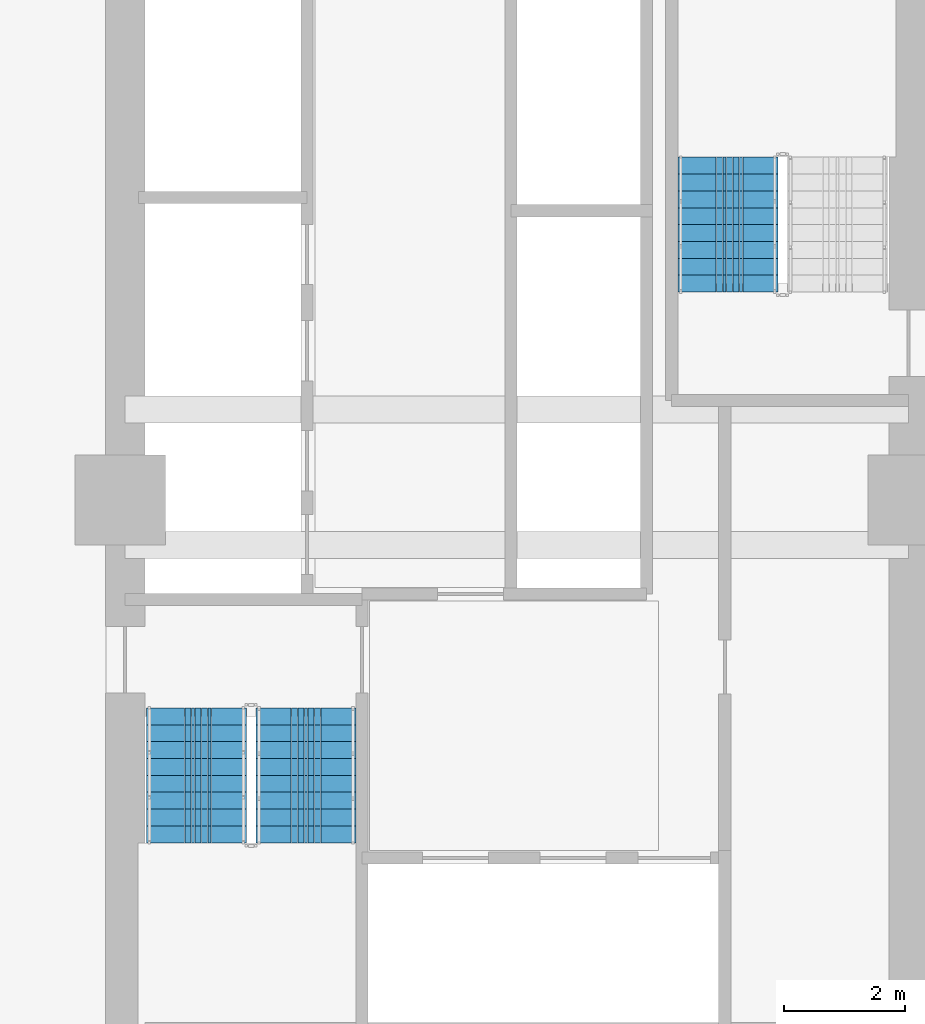
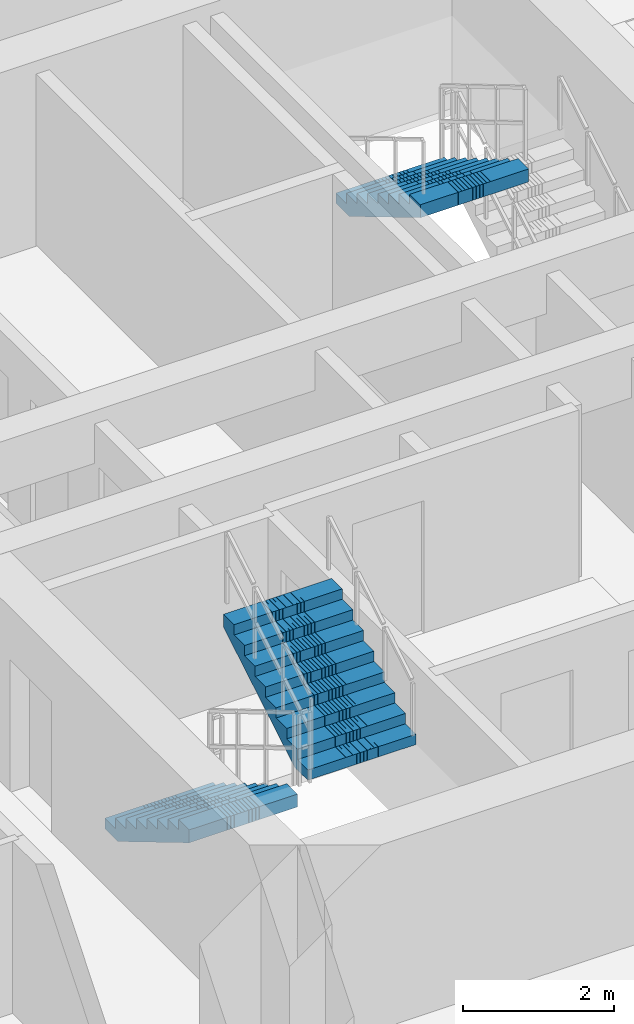
# One storey, part 10 of 17: 3 stair flights, 2 elements without a shape of their own.
"""IFC4 building model written with IfcOpenShell, lengths in metres."""

import ifcopenshell
import ifcopenshell.guid

model = None  # the IFC model being written
_history = None  # IfcOwnerHistory: only IFC2X3 demands one
_inside = {}  # id of a spatial element -> (the spatial element, [elements in it])
_under = {}  # id of a project, library or spatial element -> (it, [spatial elements below it])
_declared = {}  # id of a project -> (the project, [libraries it declares])
_typed = {}  # id of a type object -> (the type object, [elements of that type])
_made_of = {}  # id of a material, layer set ... -> (it, [elements and type objects made of it])


def new_model(schema):
    """Start an empty IFC model of exactly this schema.

    Asked for "IFC4X3", IfcOpenShell would pick the latest addendum, in which some entities
    have other attributes; the version numbers below select the first issue.
    IFC2X3 requires an IfcOwnerHistory on every rooted entity: one is made here for all.
    """
    global model, _history
    if schema == "IFC4X3":
        model = ifcopenshell.file(schema_version=(4, 3, 0, 0))
    else:
        model = ifcopenshell.file(schema=schema)
    _inside.clear()
    _under.clear()
    _declared.clear()
    _typed.clear()
    _made_of.clear()
    _history = None
    if model.schema == "IFC2X3":
        org = make("IfcOrganization", Name="unknown")
        user = make(
            "IfcPersonAndOrganization",
            ThePerson=make("IfcPerson", FamilyName="unknown"),
            TheOrganization=org,
        )
        app = make(
            "IfcApplication",
            ApplicationDeveloper=org,
            Version="unknown",
            ApplicationFullName="unknown",
            ApplicationIdentifier="unknown",
        )
        _history = make(
            "IfcOwnerHistory",
            OwningUser=user,
            OwningApplication=app,
            ChangeAction="ADDED",
            CreationDate=0,
        )
    return model


def make(cls, **values):
    """One entity of the class cls with the attributes given. An attribute that is None is left unset."""
    return model.create_entity(
        cls, **{name: value for name, value in values.items() if value is not None}
    )


def rooted(cls, **values):
    """An entity with a GlobalId (a new one), such as an element, a storey or a relation."""
    return make(cls, GlobalId=ifcopenshell.guid.new(), OwnerHistory=_history, **values)


def si_unit(unit_type, name, prefix=None):
    """IfcSIUnit, for example si_unit("LENGTHUNIT", "METRE", prefix="MILLI")."""
    return make("IfcSIUnit", UnitType=unit_type, Prefix=prefix, Name=name)


def assignment(units):
    """IfcUnitAssignment: the units of a project."""
    return None if units is None else make("IfcUnitAssignment", Units=units)


def point(xyz):
    """IfcCartesianPoint."""
    return None if xyz is None else make("IfcCartesianPoint", Coordinates=xyz)


def direction(xyz):
    """IfcDirection."""
    return None if xyz is None else make("IfcDirection", DirectionRatios=xyz)


def frame(location, z_axis=None, x_axis=None):
    """IfcAxis2Placement3D, a coordinate frame: its origin and axes. An axis left out is left unset."""
    return make(
        "IfcAxis2Placement3D",
        Location=point(location),
        Axis=direction(z_axis),
        RefDirection=direction(x_axis),
    )


def origin():
    """The frame at (0, 0, 0) with its axes left unset."""
    return frame((0.0, 0.0, 0.0))


def place(relative_to, where):
    """IfcLocalPlacement: puts the frame where relative to a parent placement (None: the world)."""
    return make(
        "IfcLocalPlacement", PlacementRelTo=relative_to, RelativePlacement=where
    )


def context(
    kind, dimensions, precision=None, world=None, true_north=None, identifier=None
):
    """IfcGeometricRepresentationContext, for example the 3D "Model" context."""
    return make(
        "IfcGeometricRepresentationContext",
        ContextIdentifier=identifier,
        ContextType=kind,
        CoordinateSpaceDimension=dimensions,
        Precision=precision,
        WorldCoordinateSystem=world,
        TrueNorth=true_north,
    )


def subcontext(parent, identifier, kind, view, scale=None):
    """IfcGeometricRepresentationSubContext, for example "Body" below "Model"."""
    return make(
        "IfcGeometricRepresentationSubContext",
        ContextIdentifier=identifier,
        ContextType=kind,
        ParentContext=parent,
        TargetScale=scale,
        TargetView=view,
    )


def project(units=None, contexts=None):
    """IfcProject with its units and contexts."""
    return rooted(
        "IfcProject",
        Name="project",
        RepresentationContexts=contexts,
        UnitsInContext=assignment(units),
    )


def spatial(cls, under=None, at=None, **own):
    """A site, building, storey or space (cls), placed at a placement, below another one or the project."""
    s = rooted(cls, ObjectPlacement=at, **own)
    if under is not None:
        _under.setdefault(under.id(), (under, []))[1].append(s)
    return s


def polyline(points):
    """IfcPolyline through the points."""
    return make("IfcPolyline", Points=[point(p) for p in points])


def outline(outer, holes=None, kind="AREA"):
    """IfcArbitraryClosedProfileDef: a profile drawn as a closed curve; with holes, ...WithVoids."""
    if holes is None:
        return make("IfcArbitraryClosedProfileDef", ProfileType=kind, OuterCurve=outer)
    return make(
        "IfcArbitraryProfileDefWithVoids",
        ProfileType=kind,
        OuterCurve=outer,
        InnerCurves=holes,
    )


def extrude(swept, where, along, depth):
    """IfcExtrudedAreaSolid: the profile swept, set in the frame where, extruded along a direction by depth."""
    return make(
        "IfcExtrudedAreaSolid",
        SweptArea=swept,
        Position=where,
        ExtrudedDirection=direction(along),
        Depth=depth,
    )


def shape(context_of_items, identifier, shape_type, items):
    """IfcShapeRepresentation: the items that make up one representation, for example the "Body"."""
    return make(
        "IfcShapeRepresentation",
        ContextOfItems=context_of_items,
        RepresentationIdentifier=identifier,
        RepresentationType=shape_type,
        Items=items,
    )


def material(Name=None, Category=None):
    """IfcMaterial."""
    return make("IfcMaterial", Name=Name, Category=Category)


def made_of(thing, what):
    """Note that an element or type object is made of a material, layer set ...; save() writes the relation."""
    if what is not None:
        _made_of.setdefault(what.id(), (what, []))[1].append(thing)
    return thing


def type_object(cls, material=None, **own):
    """A type object (cls), such as IfcWallType, which elements share."""
    return made_of(rooted(cls, **own), material)


def element(
    cls,
    number,
    at=None,
    inside=None,
    cuts=None,
    type_object=None,
    material=None,
    context=None,
    identifier="Body",
    shape_type=None,
    held_by="IfcProductDefinitionShape",
    body=None,
    shapes=None,
    **own,
):
    """One element of the class cls, such as IfcWall. Its Tag is "e" and its number.

    at: its placement. inside: the storey or other place that contains it. cuts: it is an
    opening in that element (IfcRelVoidsElement). A single representation is given by context,
    identifier, shape_type and body (its items); several are given by shapes. held_by: the class
    of the entity that holds the representations. save() writes the other relations.
    """
    e = rooted(cls, Tag="e%d" % number, ObjectPlacement=at, **own)
    if body is not None:
        shapes = [shape(context, identifier, shape_type, body)]
    if shapes is not None:
        e.Representation = make(held_by, Representations=shapes)
    if inside is not None:
        _inside.setdefault(inside.id(), (inside, []))[1].append(e)
    if cuts is not None:
        rooted(
            "IfcRelVoidsElement", RelatingBuildingElement=cuts, RelatedOpeningElement=e
        )
    if type_object is not None:
        _typed.setdefault(type_object.id(), (type_object, []))[1].append(e)
    return made_of(e, material)


def aggregate(whole, parts):
    """IfcRelAggregates: a whole, such as a stair, and the parts it consists of."""
    return rooted("IfcRelAggregates", RelatingObject=whole, RelatedObjects=parts)


def save(model, path):
    """Write the relations noted so far, then the file.

    IfcRelAggregates (storeys below a building ...), IfcRelContainedInSpatialStructure (elements
    in a storey), IfcRelDefinesByType, IfcRelAssociatesMaterial and IfcRelDeclares: one each for
    every whole, place, type object, material and project.
    """
    for whole, parts in _under.values():
        aggregate(whole, parts)
    for where, things in _inside.values():
        rooted(
            "IfcRelContainedInSpatialStructure",
            RelatedElements=things,
            RelatingStructure=where,
        )
    for kind, things in _typed.values():
        rooted("IfcRelDefinesByType", RelatedObjects=things, RelatingType=kind)
    for what, things in _made_of.values():
        rooted("IfcRelAssociatesMaterial", RelatedObjects=things, RelatingMaterial=what)
    for by, libraries in _declared.values():
        rooted("IfcRelDeclares", RelatingContext=by, RelatedDefinitions=libraries)
    model.write(path)


model = new_model("IFC4")

# Units and contexts
model_context = context("Model", 3, precision=1e-05, world=origin(), true_north=direction((0.0, 1.0)))
body_context = subcontext(model_context, "Body", "Model", "MODEL_VIEW")
ifc_project = project(units=[si_unit("LENGTHUNIT", "METRE"), si_unit("AREAUNIT", "SQUARE_METRE"), si_unit("VOLUMEUNIT", "CUBIC_METRE"), si_unit("PLANEANGLEUNIT", "RADIAN"), si_unit("MASSUNIT", "GRAM", prefix="KILO")], contexts=[model_context])

# Site, building, storey
site_placement = place(None, origin())
site = spatial("IfcSite", under=ifc_project, at=site_placement, CompositionType="ELEMENT")
building_placement = place(site_placement, origin())
building = spatial("IfcBuilding", under=site, at=building_placement, Name="Saelheon Loggia Tower", CompositionType="ELEMENT")
storey_placement = place(building_placement, frame((0.0, 0.0, 22.39990234375)))
storey = spatial("IfcBuildingStorey", under=building, at=storey_placement, Name="L06", CompositionType="ELEMENT", Elevation=22.39990234375)

# Stair, stair flights
ifc_material = material(Name="Concrete C40/50", Category="concrete")
stair_type = type_object("IfcStairType", Name="Stair_Escape_Core", PredefinedType="HALF_TURN_STAIR", material=ifc_material)
stair_1_placement = place(storey_placement, origin())
stair_1 = element("IfcStair", 1, at=stair_1_placement, inside=storey, type_object=stair_type, Name="L06 Special Escape Stair ST1", PredefinedType="HALF_TURN_STAIR")
stair_flight_type = type_object("IfcStairFlightType", Name="StairFlight_Tower_1660", PredefinedType="STRAIGHT", material=ifc_material)
stair_flight_1_placement = place(storey_placement, frame((32.679931640625, 23.550048828125, 0.0), z_axis=(0.0, 0.0, 1.0), x_axis=(0.0, -1.0, 0.0)))
stair_flight_1 = element("IfcStairFlight", 2, at=stair_flight_1_placement, type_object=stair_flight_type, Name="ST1 flight 1", NumberOfRisers=9, NumberOfTreads=8, PredefinedType="STRAIGHT", RiserHeight=0.166666667, TreadLength=0.28, context=body_context, shape_type="SweptSolid", body=[
    extrude(outline(polyline([(0.0, 0.0), (0.0, 0.166748046875), (0.280029296875, 0.166748046875), (0.280029296875, 0.333251953125), (0.56005859375, 0.333251953125), (0.56005859375, 0.5), (0.840087890625, 0.5), (0.840087890625, 0.666748046875), (1.1201171875, 0.666748046875), (1.1201171875, 0.833251953125), (1.39990234375, 0.833251953125), (1.39990234375, 1.0), (1.679931640625, 1.0), (1.679931640625, 1.166748046875), (1.9599609375, 1.166748046875), (1.9599609375, 1.333251953125), (2.239990234375, 1.333251953125), (2.239990234375, 1.5), (2.239990234375, 1.1240234375), (0.351806640625, 0.0), (0.0, 0.0)])), frame((0.0, -0.2490234375, 0.0), z_axis=(0.0, -1.0, 0.0), x_axis=(1.0, 0.0, 0.0)), (0.0, 0.0, 1.0), 0.5810546875),
    extrude(outline(polyline([(0.0, 0.0), (0.0, 0.166748046875), (0.280029296875, 0.166748046875), (0.280029296875, 0.333251953125), (0.56005859375, 0.333251953125), (0.56005859375, 0.5), (0.840087890625, 0.5), (0.840087890625, 0.666748046875), (1.1201171875, 0.666748046875), (1.1201171875, 0.833251953125), (1.39990234375, 0.833251953125), (1.39990234375, 1.0), (1.679931640625, 1.0), (1.679931640625, 1.166748046875), (1.9599609375, 1.166748046875), (1.9599609375, 1.333251953125), (2.239990234375, 1.333251953125), (2.239990234375, 1.5), (2.239990234375, 1.1240234375), (0.351806640625, 0.0), (0.0, 0.0)])), frame((0.0, -0.194091796875, 0.0), z_axis=(0.0, -1.0, 0.0), x_axis=(1.0, 0.0, 0.0)), (0.0, 0.0, 1.0), 0.0498046875),
    extrude(outline(polyline([(0.0, 0.0), (0.0, 0.166748046875), (0.280029296875, 0.166748046875), (0.280029296875, 0.333251953125), (0.56005859375, 0.333251953125), (0.56005859375, 0.5), (0.840087890625, 0.5), (0.840087890625, 0.666748046875), (1.1201171875, 0.666748046875), (1.1201171875, 0.833251953125), (1.39990234375, 0.833251953125), (1.39990234375, 1.0), (1.679931640625, 1.0), (1.679931640625, 1.166748046875), (1.9599609375, 1.166748046875), (1.9599609375, 1.333251953125), (2.239990234375, 1.333251953125), (2.239990234375, 1.5), (2.239990234375, 1.1240234375), (0.351806640625, 0.0), (0.0, 0.0)])), frame((0.0, -0.139404296875, 0.0), z_axis=(0.0, -1.0, 0.0), x_axis=(1.0, 0.0, 0.0)), (0.0, 0.0, 1.0), 0.0498046875),
    extrude(outline(polyline([(0.0, 0.0), (0.0, 0.166748046875), (0.280029296875, 0.166748046875), (0.280029296875, 0.333251953125), (0.56005859375, 0.333251953125), (0.56005859375, 0.5), (0.840087890625, 0.5), (0.840087890625, 0.666748046875), (1.1201171875, 0.666748046875), (1.1201171875, 0.833251953125), (1.39990234375, 0.833251953125), (1.39990234375, 1.0), (1.679931640625, 1.0), (1.679931640625, 1.166748046875), (1.9599609375, 1.166748046875), (1.9599609375, 1.333251953125), (2.239990234375, 1.333251953125), (2.239990234375, 1.5), (2.239990234375, 1.1240234375), (0.351806640625, 0.0), (0.0, 0.0)])), frame((0.0, -0.084716796875, 0.0), z_axis=(0.0, -1.0, 0.0), x_axis=(1.0, 0.0, 0.0)), (0.0, 0.0, 1.0), 0.0498046875),
    extrude(outline(polyline([(0.0, 0.0), (0.0, 0.166748046875), (0.280029296875, 0.166748046875), (0.280029296875, 0.333251953125), (0.56005859375, 0.333251953125), (0.56005859375, 0.5), (0.840087890625, 0.5), (0.840087890625, 0.666748046875), (1.1201171875, 0.666748046875), (1.1201171875, 0.833251953125), (1.39990234375, 0.833251953125), (1.39990234375, 1.0), (1.679931640625, 1.0), (1.679931640625, 1.166748046875), (1.9599609375, 1.166748046875), (1.9599609375, 1.333251953125), (2.239990234375, 1.333251953125), (2.239990234375, 1.5), (2.239990234375, 1.1240234375), (0.351806640625, 0.0), (0.0, 0.0)])), frame((0.0, -0.02978515625, 0.0), z_axis=(0.0, -1.0, 0.0), x_axis=(1.0, 0.0, 0.0)), (0.0, 0.0, 1.0), 0.0498046875),
    extrude(outline(polyline([(0.0, 0.0), (0.0, 0.166748046875), (0.280029296875, 0.166748046875), (0.280029296875, 0.333251953125), (0.56005859375, 0.333251953125), (0.56005859375, 0.5), (0.840087890625, 0.5), (0.840087890625, 0.666748046875), (1.1201171875, 0.666748046875), (1.1201171875, 0.833251953125), (1.39990234375, 0.833251953125), (1.39990234375, 1.0), (1.679931640625, 1.0), (1.679931640625, 1.166748046875), (1.9599609375, 1.166748046875), (1.9599609375, 1.333251953125), (2.239990234375, 1.333251953125), (2.239990234375, 1.5), (2.239990234375, 1.1240234375), (0.351806640625, 0.0), (0.0, 0.0)])), frame((0.0, 0.02490234375, 0.0), z_axis=(0.0, -1.0, 0.0), x_axis=(1.0, 0.0, 0.0)), (0.0, 0.0, 1.0), 0.0498046875),
    extrude(outline(polyline([(0.0, 0.0), (0.0, 0.166748046875), (0.280029296875, 0.166748046875), (0.280029296875, 0.333251953125), (0.56005859375, 0.333251953125), (0.56005859375, 0.5), (0.840087890625, 0.5), (0.840087890625, 0.666748046875), (1.1201171875, 0.666748046875), (1.1201171875, 0.833251953125), (1.39990234375, 0.833251953125), (1.39990234375, 1.0), (1.679931640625, 1.0), (1.679931640625, 1.166748046875), (1.9599609375, 1.166748046875), (1.9599609375, 1.333251953125), (2.239990234375, 1.333251953125), (2.239990234375, 1.5), (2.239990234375, 1.1240234375), (0.351806640625, 0.0), (0.0, 0.0)])), frame((0.0, 0.07958984375, 0.0), z_axis=(0.0, -1.0, 0.0), x_axis=(1.0, 0.0, 0.0)), (0.0, 0.0, 1.0), 0.0498046875),
    extrude(outline(polyline([(0.0, 0.0), (0.0, 0.166748046875), (0.280029296875, 0.166748046875), (0.280029296875, 0.333251953125), (0.56005859375, 0.333251953125), (0.56005859375, 0.5), (0.840087890625, 0.5), (0.840087890625, 0.666748046875), (1.1201171875, 0.666748046875), (1.1201171875, 0.833251953125), (1.39990234375, 0.833251953125), (1.39990234375, 1.0), (1.679931640625, 1.0), (1.679931640625, 1.166748046875), (1.9599609375, 1.166748046875), (1.9599609375, 1.333251953125), (2.239990234375, 1.333251953125), (2.239990234375, 1.5), (2.239990234375, 1.1240234375), (0.351806640625, 0.0), (0.0, 0.0)])), frame((0.0, 0.134521484375, 0.0), z_axis=(0.0, -1.0, 0.0), x_axis=(1.0, 0.0, 0.0)), (0.0, 0.0, 1.0), 0.0498046875),
    extrude(outline(polyline([(0.0, 0.0), (0.0, 0.166748046875), (0.280029296875, 0.166748046875), (0.280029296875, 0.333251953125), (0.56005859375, 0.333251953125), (0.56005859375, 0.5), (0.840087890625, 0.5), (0.840087890625, 0.666748046875), (1.1201171875, 0.666748046875), (1.1201171875, 0.833251953125), (1.39990234375, 0.833251953125), (1.39990234375, 1.0), (1.679931640625, 1.0), (1.679931640625, 1.166748046875), (1.9599609375, 1.166748046875), (1.9599609375, 1.333251953125), (2.239990234375, 1.333251953125), (2.239990234375, 1.5), (2.239990234375, 1.1240234375), (0.351806640625, 0.0), (0.0, 0.0)])), frame((0.0, 0.189208984375, 0.0), z_axis=(0.0, -1.0, 0.0), x_axis=(1.0, 0.0, 0.0)), (0.0, 0.0, 1.0), 0.0498046875),
    extrude(outline(polyline([(0.0, 0.0), (0.0, 0.166748046875), (0.280029296875, 0.166748046875), (0.280029296875, 0.333251953125), (0.56005859375, 0.333251953125), (0.56005859375, 0.5), (0.840087890625, 0.5), (0.840087890625, 0.666748046875), (1.1201171875, 0.666748046875), (1.1201171875, 0.833251953125), (1.39990234375, 0.833251953125), (1.39990234375, 1.0), (1.679931640625, 1.0), (1.679931640625, 1.166748046875), (1.9599609375, 1.166748046875), (1.9599609375, 1.333251953125), (2.239990234375, 1.333251953125), (2.239990234375, 1.5), (2.239990234375, 1.1240234375), (0.351806640625, 0.0), (0.0, 0.0)])), frame((0.0, 0.243896484375, 0.0), z_axis=(0.0, -1.0, 0.0), x_axis=(1.0, 0.0, 0.0)), (0.0, 0.0, 1.0), 0.0498046875),
    extrude(outline(polyline([(0.0, 0.0), (0.0, 0.166748046875), (0.280029296875, 0.166748046875), (0.280029296875, 0.333251953125), (0.56005859375, 0.333251953125), (0.56005859375, 0.5), (0.840087890625, 0.5), (0.840087890625, 0.666748046875), (1.1201171875, 0.666748046875), (1.1201171875, 0.833251953125), (1.39990234375, 0.833251953125), (1.39990234375, 1.0), (1.679931640625, 1.0), (1.679931640625, 1.166748046875), (1.9599609375, 1.166748046875), (1.9599609375, 1.333251953125), (2.239990234375, 1.333251953125), (2.239990234375, 1.5), (2.239990234375, 1.1240234375), (0.351806640625, 0.0), (0.0, 0.0)])), frame((0.0, 0.830078125, 0.0), z_axis=(0.0, -1.0, 0.0), x_axis=(1.0, 0.0, 0.0)), (0.0, 0.0, 1.0), 0.5810546875),
])
stair_flight_2_placement = place(storey_placement, frame((34.5, 21.31005859375, 1.5), z_axis=(0.0, 0.0, 1.0), x_axis=(0.0, 1.0, 0.0)))
stair_flight_2 = element("IfcStairFlight", 3, at=stair_flight_2_placement, type_object=stair_flight_type, Name="ST1 flight 2", NumberOfRisers=9, NumberOfTreads=8, PredefinedType="STRAIGHT", RiserHeight=0.166666667, TreadLength=0.28, context=body_context, shape_type="SweptSolid", body=[
    extrude(outline(polyline([(0.0, 0.0), (0.0, 0.166748046875), (0.280029296875, 0.166748046875), (0.280029296875, 0.333251953125), (0.56005859375, 0.333251953125), (0.56005859375, 0.5), (0.840087890625, 0.5), (0.840087890625, 0.666748046875), (1.1201171875, 0.666748046875), (1.1201171875, 0.833251953125), (1.39990234375, 0.833251953125), (1.39990234375, 1.0), (1.679931640625, 1.0), (1.679931640625, 1.166748046875), (1.9599609375, 1.166748046875), (1.9599609375, 1.333251953125), (2.239990234375, 1.333251953125), (2.239990234375, 1.5), (2.239990234375, 1.1240234375), (0.351806640625, 0.0), (0.0, 0.0)])), frame((0.0, -0.2490234375, 0.0), z_axis=(0.0, -1.0, 0.0), x_axis=(1.0, 0.0, 0.0)), (0.0, 0.0, 1.0), 0.5810546875),
    extrude(outline(polyline([(0.0, 0.0), (0.0, 0.166748046875), (0.280029296875, 0.166748046875), (0.280029296875, 0.333251953125), (0.56005859375, 0.333251953125), (0.56005859375, 0.5), (0.840087890625, 0.5), (0.840087890625, 0.666748046875), (1.1201171875, 0.666748046875), (1.1201171875, 0.833251953125), (1.39990234375, 0.833251953125), (1.39990234375, 1.0), (1.679931640625, 1.0), (1.679931640625, 1.166748046875), (1.9599609375, 1.166748046875), (1.9599609375, 1.333251953125), (2.239990234375, 1.333251953125), (2.239990234375, 1.5), (2.239990234375, 1.1240234375), (0.351806640625, 0.0), (0.0, 0.0)])), frame((0.0, -0.194091796875, 0.0), z_axis=(0.0, -1.0, 0.0), x_axis=(1.0, 0.0, 0.0)), (0.0, 0.0, 1.0), 0.0498046875),
    extrude(outline(polyline([(0.0, 0.0), (0.0, 0.166748046875), (0.280029296875, 0.166748046875), (0.280029296875, 0.333251953125), (0.56005859375, 0.333251953125), (0.56005859375, 0.5), (0.840087890625, 0.5), (0.840087890625, 0.666748046875), (1.1201171875, 0.666748046875), (1.1201171875, 0.833251953125), (1.39990234375, 0.833251953125), (1.39990234375, 1.0), (1.679931640625, 1.0), (1.679931640625, 1.166748046875), (1.9599609375, 1.166748046875), (1.9599609375, 1.333251953125), (2.239990234375, 1.333251953125), (2.239990234375, 1.5), (2.239990234375, 1.1240234375), (0.351806640625, 0.0), (0.0, 0.0)])), frame((0.0, -0.139404296875, 0.0), z_axis=(0.0, -1.0, 0.0), x_axis=(1.0, 0.0, 0.0)), (0.0, 0.0, 1.0), 0.0498046875),
    extrude(outline(polyline([(0.0, 0.0), (0.0, 0.166748046875), (0.280029296875, 0.166748046875), (0.280029296875, 0.333251953125), (0.56005859375, 0.333251953125), (0.56005859375, 0.5), (0.840087890625, 0.5), (0.840087890625, 0.666748046875), (1.1201171875, 0.666748046875), (1.1201171875, 0.833251953125), (1.39990234375, 0.833251953125), (1.39990234375, 1.0), (1.679931640625, 1.0), (1.679931640625, 1.166748046875), (1.9599609375, 1.166748046875), (1.9599609375, 1.333251953125), (2.239990234375, 1.333251953125), (2.239990234375, 1.5), (2.239990234375, 1.1240234375), (0.351806640625, 0.0), (0.0, 0.0)])), frame((0.0, -0.084716796875, 0.0), z_axis=(0.0, -1.0, 0.0), x_axis=(1.0, 0.0, 0.0)), (0.0, 0.0, 1.0), 0.0498046875),
    extrude(outline(polyline([(0.0, 0.0), (0.0, 0.166748046875), (0.280029296875, 0.166748046875), (0.280029296875, 0.333251953125), (0.56005859375, 0.333251953125), (0.56005859375, 0.5), (0.840087890625, 0.5), (0.840087890625, 0.666748046875), (1.1201171875, 0.666748046875), (1.1201171875, 0.833251953125), (1.39990234375, 0.833251953125), (1.39990234375, 1.0), (1.679931640625, 1.0), (1.679931640625, 1.166748046875), (1.9599609375, 1.166748046875), (1.9599609375, 1.333251953125), (2.239990234375, 1.333251953125), (2.239990234375, 1.5), (2.239990234375, 1.1240234375), (0.351806640625, 0.0), (0.0, 0.0)])), frame((0.0, -0.02978515625, 0.0), z_axis=(0.0, -1.0, 0.0), x_axis=(1.0, 0.0, 0.0)), (0.0, 0.0, 1.0), 0.0498046875),
    extrude(outline(polyline([(0.0, 0.0), (0.0, 0.166748046875), (0.280029296875, 0.166748046875), (0.280029296875, 0.333251953125), (0.56005859375, 0.333251953125), (0.56005859375, 0.5), (0.840087890625, 0.5), (0.840087890625, 0.666748046875), (1.1201171875, 0.666748046875), (1.1201171875, 0.833251953125), (1.39990234375, 0.833251953125), (1.39990234375, 1.0), (1.679931640625, 1.0), (1.679931640625, 1.166748046875), (1.9599609375, 1.166748046875), (1.9599609375, 1.333251953125), (2.239990234375, 1.333251953125), (2.239990234375, 1.5), (2.239990234375, 1.1240234375), (0.351806640625, 0.0), (0.0, 0.0)])), frame((0.0, 0.02490234375, 0.0), z_axis=(0.0, -1.0, 0.0), x_axis=(1.0, 0.0, 0.0)), (0.0, 0.0, 1.0), 0.0498046875),
    extrude(outline(polyline([(0.0, 0.0), (0.0, 0.166748046875), (0.280029296875, 0.166748046875), (0.280029296875, 0.333251953125), (0.56005859375, 0.333251953125), (0.56005859375, 0.5), (0.840087890625, 0.5), (0.840087890625, 0.666748046875), (1.1201171875, 0.666748046875), (1.1201171875, 0.833251953125), (1.39990234375, 0.833251953125), (1.39990234375, 1.0), (1.679931640625, 1.0), (1.679931640625, 1.166748046875), (1.9599609375, 1.166748046875), (1.9599609375, 1.333251953125), (2.239990234375, 1.333251953125), (2.239990234375, 1.5), (2.239990234375, 1.1240234375), (0.351806640625, 0.0), (0.0, 0.0)])), frame((0.0, 0.07958984375, 0.0), z_axis=(0.0, -1.0, 0.0), x_axis=(1.0, 0.0, 0.0)), (0.0, 0.0, 1.0), 0.0498046875),
    extrude(outline(polyline([(0.0, 0.0), (0.0, 0.166748046875), (0.280029296875, 0.166748046875), (0.280029296875, 0.333251953125), (0.56005859375, 0.333251953125), (0.56005859375, 0.5), (0.840087890625, 0.5), (0.840087890625, 0.666748046875), (1.1201171875, 0.666748046875), (1.1201171875, 0.833251953125), (1.39990234375, 0.833251953125), (1.39990234375, 1.0), (1.679931640625, 1.0), (1.679931640625, 1.166748046875), (1.9599609375, 1.166748046875), (1.9599609375, 1.333251953125), (2.239990234375, 1.333251953125), (2.239990234375, 1.5), (2.239990234375, 1.1240234375), (0.351806640625, 0.0), (0.0, 0.0)])), frame((0.0, 0.134521484375, 0.0), z_axis=(0.0, -1.0, 0.0), x_axis=(1.0, 0.0, 0.0)), (0.0, 0.0, 1.0), 0.0498046875),
    extrude(outline(polyline([(0.0, 0.0), (0.0, 0.166748046875), (0.280029296875, 0.166748046875), (0.280029296875, 0.333251953125), (0.56005859375, 0.333251953125), (0.56005859375, 0.5), (0.840087890625, 0.5), (0.840087890625, 0.666748046875), (1.1201171875, 0.666748046875), (1.1201171875, 0.833251953125), (1.39990234375, 0.833251953125), (1.39990234375, 1.0), (1.679931640625, 1.0), (1.679931640625, 1.166748046875), (1.9599609375, 1.166748046875), (1.9599609375, 1.333251953125), (2.239990234375, 1.333251953125), (2.239990234375, 1.5), (2.239990234375, 1.1240234375), (0.351806640625, 0.0), (0.0, 0.0)])), frame((0.0, 0.189208984375, 0.0), z_axis=(0.0, -1.0, 0.0), x_axis=(1.0, 0.0, 0.0)), (0.0, 0.0, 1.0), 0.0498046875),
    extrude(outline(polyline([(0.0, 0.0), (0.0, 0.166748046875), (0.280029296875, 0.166748046875), (0.280029296875, 0.333251953125), (0.56005859375, 0.333251953125), (0.56005859375, 0.5), (0.840087890625, 0.5), (0.840087890625, 0.666748046875), (1.1201171875, 0.666748046875), (1.1201171875, 0.833251953125), (1.39990234375, 0.833251953125), (1.39990234375, 1.0), (1.679931640625, 1.0), (1.679931640625, 1.166748046875), (1.9599609375, 1.166748046875), (1.9599609375, 1.333251953125), (2.239990234375, 1.333251953125), (2.239990234375, 1.5), (2.239990234375, 1.1240234375), (0.351806640625, 0.0), (0.0, 0.0)])), frame((0.0, 0.243896484375, 0.0), z_axis=(0.0, -1.0, 0.0), x_axis=(1.0, 0.0, 0.0)), (0.0, 0.0, 1.0), 0.0498046875),
    extrude(outline(polyline([(0.0, 0.0), (0.0, 0.166748046875), (0.280029296875, 0.166748046875), (0.280029296875, 0.333251953125), (0.56005859375, 0.333251953125), (0.56005859375, 0.5), (0.840087890625, 0.5), (0.840087890625, 0.666748046875), (1.1201171875, 0.666748046875), (1.1201171875, 0.833251953125), (1.39990234375, 0.833251953125), (1.39990234375, 1.0), (1.679931640625, 1.0), (1.679931640625, 1.166748046875), (1.9599609375, 1.166748046875), (1.9599609375, 1.333251953125), (2.239990234375, 1.333251953125), (2.239990234375, 1.5), (2.239990234375, 1.1240234375), (0.351806640625, 0.0), (0.0, 0.0)])), frame((0.0, 0.830078125, 0.0), z_axis=(0.0, -1.0, 0.0), x_axis=(1.0, 0.0, 0.0)), (0.0, 0.0, 1.0), 0.5810546875),
])
aggregate(stair_1, [stair_flight_1, stair_flight_2])

# Stair, stair flight
stair_2_placement = place(storey_placement, origin())
stair_2 = element("IfcStair", 4, at=stair_2_placement, inside=storey, type_object=stair_type, Name="L06 Special Escape Stair ST2", PredefinedType="HALF_TURN_STAIR")
stair_flight_3_placement = place(storey_placement, frame((41.5, 32.68994140625, 1.5), z_axis=(0.0, 0.0, 1.0), x_axis=(0.0, -1.0, 0.0)))
stair_flight_3 = element("IfcStairFlight", 5, at=stair_flight_3_placement, type_object=stair_flight_type, Name="ST2 flight 2", NumberOfRisers=9, NumberOfTreads=8, PredefinedType="STRAIGHT", RiserHeight=0.166666667, TreadLength=0.28, context=body_context, shape_type="SweptSolid", body=[
    extrude(outline(polyline([(0.0, 0.0), (0.0, 0.166748046875), (0.280029296875, 0.166748046875), (0.280029296875, 0.333251953125), (0.56005859375, 0.333251953125), (0.56005859375, 0.5), (0.840087890625, 0.5), (0.840087890625, 0.666748046875), (1.1201171875, 0.666748046875), (1.1201171875, 0.833251953125), (1.39990234375, 0.833251953125), (1.39990234375, 1.0), (1.679931640625, 1.0), (1.679931640625, 1.166748046875), (1.9599609375, 1.166748046875), (1.9599609375, 1.333251953125), (2.239990234375, 1.333251953125), (2.239990234375, 1.5), (2.239990234375, 1.1240234375), (0.351806640625, 0.0), (0.0, 0.0)])), frame((0.0, -0.2490234375, 0.0), z_axis=(0.0, -1.0, 0.0), x_axis=(1.0, 0.0, 0.0)), (0.0, 0.0, 1.0), 0.5810546875),
    extrude(outline(polyline([(0.0, 0.0), (0.0, 0.166748046875), (0.280029296875, 0.166748046875), (0.280029296875, 0.333251953125), (0.56005859375, 0.333251953125), (0.56005859375, 0.5), (0.840087890625, 0.5), (0.840087890625, 0.666748046875), (1.1201171875, 0.666748046875), (1.1201171875, 0.833251953125), (1.39990234375, 0.833251953125), (1.39990234375, 1.0), (1.679931640625, 1.0), (1.679931640625, 1.166748046875), (1.9599609375, 1.166748046875), (1.9599609375, 1.333251953125), (2.239990234375, 1.333251953125), (2.239990234375, 1.5), (2.239990234375, 1.1240234375), (0.351806640625, 0.0), (0.0, 0.0)])), frame((0.0, -0.194091796875, 0.0), z_axis=(0.0, -1.0, 0.0), x_axis=(1.0, 0.0, 0.0)), (0.0, 0.0, 1.0), 0.0498046875),
    extrude(outline(polyline([(0.0, 0.0), (0.0, 0.166748046875), (0.280029296875, 0.166748046875), (0.280029296875, 0.333251953125), (0.56005859375, 0.333251953125), (0.56005859375, 0.5), (0.840087890625, 0.5), (0.840087890625, 0.666748046875), (1.1201171875, 0.666748046875), (1.1201171875, 0.833251953125), (1.39990234375, 0.833251953125), (1.39990234375, 1.0), (1.679931640625, 1.0), (1.679931640625, 1.166748046875), (1.9599609375, 1.166748046875), (1.9599609375, 1.333251953125), (2.239990234375, 1.333251953125), (2.239990234375, 1.5), (2.239990234375, 1.1240234375), (0.351806640625, 0.0), (0.0, 0.0)])), frame((0.0, -0.139404296875, 0.0), z_axis=(0.0, -1.0, 0.0), x_axis=(1.0, 0.0, 0.0)), (0.0, 0.0, 1.0), 0.0498046875),
    extrude(outline(polyline([(0.0, 0.0), (0.0, 0.166748046875), (0.280029296875, 0.166748046875), (0.280029296875, 0.333251953125), (0.56005859375, 0.333251953125), (0.56005859375, 0.5), (0.840087890625, 0.5), (0.840087890625, 0.666748046875), (1.1201171875, 0.666748046875), (1.1201171875, 0.833251953125), (1.39990234375, 0.833251953125), (1.39990234375, 1.0), (1.679931640625, 1.0), (1.679931640625, 1.166748046875), (1.9599609375, 1.166748046875), (1.9599609375, 1.333251953125), (2.239990234375, 1.333251953125), (2.239990234375, 1.5), (2.239990234375, 1.1240234375), (0.351806640625, 0.0), (0.0, 0.0)])), frame((0.0, -0.084716796875, 0.0), z_axis=(0.0, -1.0, 0.0), x_axis=(1.0, 0.0, 0.0)), (0.0, 0.0, 1.0), 0.0498046875),
    extrude(outline(polyline([(0.0, 0.0), (0.0, 0.166748046875), (0.280029296875, 0.166748046875), (0.280029296875, 0.333251953125), (0.56005859375, 0.333251953125), (0.56005859375, 0.5), (0.840087890625, 0.5), (0.840087890625, 0.666748046875), (1.1201171875, 0.666748046875), (1.1201171875, 0.833251953125), (1.39990234375, 0.833251953125), (1.39990234375, 1.0), (1.679931640625, 1.0), (1.679931640625, 1.166748046875), (1.9599609375, 1.166748046875), (1.9599609375, 1.333251953125), (2.239990234375, 1.333251953125), (2.239990234375, 1.5), (2.239990234375, 1.1240234375), (0.351806640625, 0.0), (0.0, 0.0)])), frame((0.0, -0.02978515625, 0.0), z_axis=(0.0, -1.0, 0.0), x_axis=(1.0, 0.0, 0.0)), (0.0, 0.0, 1.0), 0.0498046875),
    extrude(outline(polyline([(0.0, 0.0), (0.0, 0.166748046875), (0.280029296875, 0.166748046875), (0.280029296875, 0.333251953125), (0.56005859375, 0.333251953125), (0.56005859375, 0.5), (0.840087890625, 0.5), (0.840087890625, 0.666748046875), (1.1201171875, 0.666748046875), (1.1201171875, 0.833251953125), (1.39990234375, 0.833251953125), (1.39990234375, 1.0), (1.679931640625, 1.0), (1.679931640625, 1.166748046875), (1.9599609375, 1.166748046875), (1.9599609375, 1.333251953125), (2.239990234375, 1.333251953125), (2.239990234375, 1.5), (2.239990234375, 1.1240234375), (0.351806640625, 0.0), (0.0, 0.0)])), frame((0.0, 0.02490234375, 0.0), z_axis=(0.0, -1.0, 0.0), x_axis=(1.0, 0.0, 0.0)), (0.0, 0.0, 1.0), 0.0498046875),
    extrude(outline(polyline([(0.0, 0.0), (0.0, 0.166748046875), (0.280029296875, 0.166748046875), (0.280029296875, 0.333251953125), (0.56005859375, 0.333251953125), (0.56005859375, 0.5), (0.840087890625, 0.5), (0.840087890625, 0.666748046875), (1.1201171875, 0.666748046875), (1.1201171875, 0.833251953125), (1.39990234375, 0.833251953125), (1.39990234375, 1.0), (1.679931640625, 1.0), (1.679931640625, 1.166748046875), (1.9599609375, 1.166748046875), (1.9599609375, 1.333251953125), (2.239990234375, 1.333251953125), (2.239990234375, 1.5), (2.239990234375, 1.1240234375), (0.351806640625, 0.0), (0.0, 0.0)])), frame((0.0, 0.07958984375, 0.0), z_axis=(0.0, -1.0, 0.0), x_axis=(1.0, 0.0, 0.0)), (0.0, 0.0, 1.0), 0.0498046875),
    extrude(outline(polyline([(0.0, 0.0), (0.0, 0.166748046875), (0.280029296875, 0.166748046875), (0.280029296875, 0.333251953125), (0.56005859375, 0.333251953125), (0.56005859375, 0.5), (0.840087890625, 0.5), (0.840087890625, 0.666748046875), (1.1201171875, 0.666748046875), (1.1201171875, 0.833251953125), (1.39990234375, 0.833251953125), (1.39990234375, 1.0), (1.679931640625, 1.0), (1.679931640625, 1.166748046875), (1.9599609375, 1.166748046875), (1.9599609375, 1.333251953125), (2.239990234375, 1.333251953125), (2.239990234375, 1.5), (2.239990234375, 1.1240234375), (0.351806640625, 0.0), (0.0, 0.0)])), frame((0.0, 0.134521484375, 0.0), z_axis=(0.0, -1.0, 0.0), x_axis=(1.0, 0.0, 0.0)), (0.0, 0.0, 1.0), 0.0498046875),
    extrude(outline(polyline([(0.0, 0.0), (0.0, 0.166748046875), (0.280029296875, 0.166748046875), (0.280029296875, 0.333251953125), (0.56005859375, 0.333251953125), (0.56005859375, 0.5), (0.840087890625, 0.5), (0.840087890625, 0.666748046875), (1.1201171875, 0.666748046875), (1.1201171875, 0.833251953125), (1.39990234375, 0.833251953125), (1.39990234375, 1.0), (1.679931640625, 1.0), (1.679931640625, 1.166748046875), (1.9599609375, 1.166748046875), (1.9599609375, 1.333251953125), (2.239990234375, 1.333251953125), (2.239990234375, 1.5), (2.239990234375, 1.1240234375), (0.351806640625, 0.0), (0.0, 0.0)])), frame((0.0, 0.189208984375, 0.0), z_axis=(0.0, -1.0, 0.0), x_axis=(1.0, 0.0, 0.0)), (0.0, 0.0, 1.0), 0.0498046875),
    extrude(outline(polyline([(0.0, 0.0), (0.0, 0.166748046875), (0.280029296875, 0.166748046875), (0.280029296875, 0.333251953125), (0.56005859375, 0.333251953125), (0.56005859375, 0.5), (0.840087890625, 0.5), (0.840087890625, 0.666748046875), (1.1201171875, 0.666748046875), (1.1201171875, 0.833251953125), (1.39990234375, 0.833251953125), (1.39990234375, 1.0), (1.679931640625, 1.0), (1.679931640625, 1.166748046875), (1.9599609375, 1.166748046875), (1.9599609375, 1.333251953125), (2.239990234375, 1.333251953125), (2.239990234375, 1.5), (2.239990234375, 1.1240234375), (0.351806640625, 0.0), (0.0, 0.0)])), frame((0.0, 0.243896484375, 0.0), z_axis=(0.0, -1.0, 0.0), x_axis=(1.0, 0.0, 0.0)), (0.0, 0.0, 1.0), 0.0498046875),
    extrude(outline(polyline([(0.0, 0.0), (0.0, 0.166748046875), (0.280029296875, 0.166748046875), (0.280029296875, 0.333251953125), (0.56005859375, 0.333251953125), (0.56005859375, 0.5), (0.840087890625, 0.5), (0.840087890625, 0.666748046875), (1.1201171875, 0.666748046875), (1.1201171875, 0.833251953125), (1.39990234375, 0.833251953125), (1.39990234375, 1.0), (1.679931640625, 1.0), (1.679931640625, 1.166748046875), (1.9599609375, 1.166748046875), (1.9599609375, 1.333251953125), (2.239990234375, 1.333251953125), (2.239990234375, 1.5), (2.239990234375, 1.1240234375), (0.351806640625, 0.0), (0.0, 0.0)])), frame((0.0, 0.830078125, 0.0), z_axis=(0.0, -1.0, 0.0), x_axis=(1.0, 0.0, 0.0)), (0.0, 0.0, 1.0), 0.5810546875),
])
aggregate(stair_2, [stair_flight_3])

save(model, "model.ifc")
